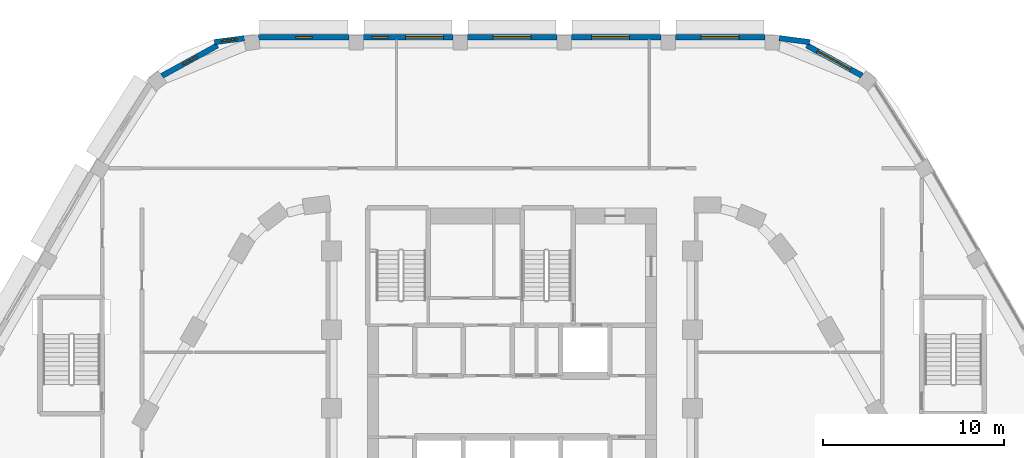
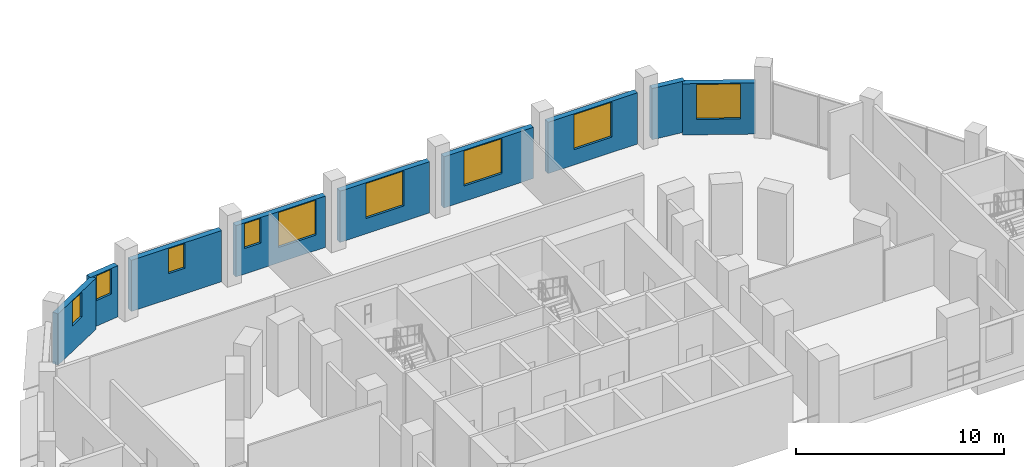
# One storey, part 24 of 33: 9 walls, 9 windows, 9 openings.
"""IFC4 building model written with IfcOpenShell, lengths in metres."""

import ifcopenshell
import ifcopenshell.guid

model = None  # the IFC model being written
_history = None  # IfcOwnerHistory: only IFC2X3 demands one
_inside = {}  # id of a spatial element -> (the spatial element, [elements in it])
_under = {}  # id of a project, library or spatial element -> (it, [spatial elements below it])
_declared = {}  # id of a project -> (the project, [libraries it declares])
_typed = {}  # id of a type object -> (the type object, [elements of that type])
_made_of = {}  # id of a material, layer set ... -> (it, [elements and type objects made of it])


def new_model(schema):
    """Start an empty IFC model of exactly this schema.

    Asked for "IFC4X3", IfcOpenShell would pick the latest addendum, in which some entities
    have other attributes; the version numbers below select the first issue.
    IFC2X3 requires an IfcOwnerHistory on every rooted entity: one is made here for all.
    """
    global model, _history
    if schema == "IFC4X3":
        model = ifcopenshell.file(schema_version=(4, 3, 0, 0))
    else:
        model = ifcopenshell.file(schema=schema)
    _inside.clear()
    _under.clear()
    _declared.clear()
    _typed.clear()
    _made_of.clear()
    _history = None
    if model.schema == "IFC2X3":
        org = make("IfcOrganization", Name="unknown")
        user = make(
            "IfcPersonAndOrganization",
            ThePerson=make("IfcPerson", FamilyName="unknown"),
            TheOrganization=org,
        )
        app = make(
            "IfcApplication",
            ApplicationDeveloper=org,
            Version="unknown",
            ApplicationFullName="unknown",
            ApplicationIdentifier="unknown",
        )
        _history = make(
            "IfcOwnerHistory",
            OwningUser=user,
            OwningApplication=app,
            ChangeAction="ADDED",
            CreationDate=0,
        )
    return model


def make(cls, **values):
    """One entity of the class cls with the attributes given. An attribute that is None is left unset."""
    return model.create_entity(
        cls, **{name: value for name, value in values.items() if value is not None}
    )


def rooted(cls, **values):
    """An entity with a GlobalId (a new one), such as an element, a storey or a relation."""
    return make(cls, GlobalId=ifcopenshell.guid.new(), OwnerHistory=_history, **values)


def si_unit(unit_type, name, prefix=None):
    """IfcSIUnit, for example si_unit("LENGTHUNIT", "METRE", prefix="MILLI")."""
    return make("IfcSIUnit", UnitType=unit_type, Prefix=prefix, Name=name)


def assignment(units):
    """IfcUnitAssignment: the units of a project."""
    return None if units is None else make("IfcUnitAssignment", Units=units)


def point(xyz):
    """IfcCartesianPoint."""
    return None if xyz is None else make("IfcCartesianPoint", Coordinates=xyz)


def direction(xyz):
    """IfcDirection."""
    return None if xyz is None else make("IfcDirection", DirectionRatios=xyz)


def frame(location, z_axis=None, x_axis=None):
    """IfcAxis2Placement3D, a coordinate frame: its origin and axes. An axis left out is left unset."""
    return make(
        "IfcAxis2Placement3D",
        Location=point(location),
        Axis=direction(z_axis),
        RefDirection=direction(x_axis),
    )


def frame_2d(location, x_axis=None):
    """IfcAxis2Placement2D, a coordinate frame in the plane: its origin and x axis."""
    return make(
        "IfcAxis2Placement2D", Location=point(location), RefDirection=direction(x_axis)
    )


def origin():
    """The frame at (0, 0, 0) with its axes left unset."""
    return frame((0.0, 0.0, 0.0))


def place(relative_to, where):
    """IfcLocalPlacement: puts the frame where relative to a parent placement (None: the world)."""
    return make(
        "IfcLocalPlacement", PlacementRelTo=relative_to, RelativePlacement=where
    )


def context(
    kind, dimensions, precision=None, world=None, true_north=None, identifier=None
):
    """IfcGeometricRepresentationContext, for example the 3D "Model" context."""
    return make(
        "IfcGeometricRepresentationContext",
        ContextIdentifier=identifier,
        ContextType=kind,
        CoordinateSpaceDimension=dimensions,
        Precision=precision,
        WorldCoordinateSystem=world,
        TrueNorth=true_north,
    )


def subcontext(parent, identifier, kind, view, scale=None):
    """IfcGeometricRepresentationSubContext, for example "Body" below "Model"."""
    return make(
        "IfcGeometricRepresentationSubContext",
        ContextIdentifier=identifier,
        ContextType=kind,
        ParentContext=parent,
        TargetScale=scale,
        TargetView=view,
    )


def project(units=None, contexts=None):
    """IfcProject with its units and contexts."""
    return rooted(
        "IfcProject",
        Name="project",
        RepresentationContexts=contexts,
        UnitsInContext=assignment(units),
    )


def spatial(cls, under=None, at=None, **own):
    """A site, building, storey or space (cls), placed at a placement, below another one or the project."""
    s = rooted(cls, ObjectPlacement=at, **own)
    if under is not None:
        _under.setdefault(under.id(), (under, []))[1].append(s)
    return s


def profile(cls, at=None, kind="AREA", **sizes):
    """A parametric profile (cls). Its sizes go by their IFC names, for example OverallWidth=200.0."""
    return make(cls, ProfileType=kind, Position=at, **sizes)


def rectangle(**sizes):
    """IfcRectangleProfileDef."""
    return profile("IfcRectangleProfileDef", **sizes)


def extrude(swept, where, along, depth):
    """IfcExtrudedAreaSolid: the profile swept, set in the frame where, extruded along a direction by depth."""
    return make(
        "IfcExtrudedAreaSolid",
        SweptArea=swept,
        Position=where,
        ExtrudedDirection=direction(along),
        Depth=depth,
    )


def shape(context_of_items, identifier, shape_type, items):
    """IfcShapeRepresentation: the items that make up one representation, for example the "Body"."""
    return make(
        "IfcShapeRepresentation",
        ContextOfItems=context_of_items,
        RepresentationIdentifier=identifier,
        RepresentationType=shape_type,
        Items=items,
    )


def material(Name=None, Category=None):
    """IfcMaterial."""
    return make("IfcMaterial", Name=Name, Category=Category)


def layer(
    of_material, thickness, ventilated=None, Name=None, Category=None, Priority=None
):
    """IfcMaterialLayer: one layer of a wall or slab, of a material (None: an air gap)."""
    return make(
        "IfcMaterialLayer",
        Material=of_material,
        LayerThickness=thickness,
        IsVentilated=ventilated,
        Name=Name,
        Category=Category,
        Priority=Priority,
    )


def layer_set(layers, Name=None):
    """IfcMaterialLayerSet."""
    return make("IfcMaterialLayerSet", MaterialLayers=layers, LayerSetName=Name)


def made_of(thing, what):
    """Note that an element or type object is made of a material, layer set ...; save() writes the relation."""
    if what is not None:
        _made_of.setdefault(what.id(), (what, []))[1].append(thing)
    return thing


def type_object(cls, material=None, **own):
    """A type object (cls), such as IfcWallType, which elements share."""
    return made_of(rooted(cls, **own), material)


def element(
    cls,
    number,
    at=None,
    inside=None,
    cuts=None,
    type_object=None,
    material=None,
    context=None,
    identifier="Body",
    shape_type=None,
    held_by="IfcProductDefinitionShape",
    body=None,
    shapes=None,
    **own,
):
    """One element of the class cls, such as IfcWall. Its Tag is "e" and its number.

    at: its placement. inside: the storey or other place that contains it. cuts: it is an
    opening in that element (IfcRelVoidsElement). A single representation is given by context,
    identifier, shape_type and body (its items); several are given by shapes. held_by: the class
    of the entity that holds the representations. save() writes the other relations.
    """
    e = rooted(cls, Tag="e%d" % number, ObjectPlacement=at, **own)
    if body is not None:
        shapes = [shape(context, identifier, shape_type, body)]
    if shapes is not None:
        e.Representation = make(held_by, Representations=shapes)
    if inside is not None:
        _inside.setdefault(inside.id(), (inside, []))[1].append(e)
    if cuts is not None:
        rooted(
            "IfcRelVoidsElement", RelatingBuildingElement=cuts, RelatedOpeningElement=e
        )
    if type_object is not None:
        _typed.setdefault(type_object.id(), (type_object, []))[1].append(e)
    return made_of(e, material)


def fill(opening, filler):
    """IfcRelFillsElement: the door or window that sits in an opening."""
    return rooted(
        "IfcRelFillsElement",
        RelatingOpeningElement=opening,
        RelatedBuildingElement=filler,
    )


def aggregate(whole, parts):
    """IfcRelAggregates: a whole, such as a stair, and the parts it consists of."""
    return rooted("IfcRelAggregates", RelatingObject=whole, RelatedObjects=parts)


def save(model, path):
    """Write the relations noted so far, then the file.

    IfcRelAggregates (storeys below a building ...), IfcRelContainedInSpatialStructure (elements
    in a storey), IfcRelDefinesByType, IfcRelAssociatesMaterial and IfcRelDeclares: one each for
    every whole, place, type object, material and project.
    """
    for whole, parts in _under.values():
        aggregate(whole, parts)
    for where, things in _inside.values():
        rooted(
            "IfcRelContainedInSpatialStructure",
            RelatedElements=things,
            RelatingStructure=where,
        )
    for kind, things in _typed.values():
        rooted("IfcRelDefinesByType", RelatedObjects=things, RelatingType=kind)
    for what, things in _made_of.values():
        rooted("IfcRelAssociatesMaterial", RelatedObjects=things, RelatingMaterial=what)
    for by, libraries in _declared.values():
        rooted("IfcRelDeclares", RelatingContext=by, RelatedDefinitions=libraries)
    model.write(path)


model = new_model("IFC4")

# Units and contexts
model_context = context("Model", 3, precision=1e-05, world=origin(), true_north=direction((0.0, 1.0)))
body_context = subcontext(model_context, "Body", "Model", "MODEL_VIEW")
ifc_project = project(units=[si_unit("LENGTHUNIT", "METRE"), si_unit("AREAUNIT", "SQUARE_METRE"), si_unit("VOLUMEUNIT", "CUBIC_METRE"), si_unit("PLANEANGLEUNIT", "RADIAN"), si_unit("MASSUNIT", "GRAM", prefix="KILO")], contexts=[model_context])

# Site, building, storey
site_placement = place(None, origin())
site = spatial("IfcSite", under=ifc_project, at=site_placement, CompositionType="ELEMENT")
building_placement = place(site_placement, origin())
building = spatial("IfcBuilding", under=site, at=building_placement, Name="Nakaniwa Court", CompositionType="ELEMENT")
storey_placement = place(building_placement, frame((0.0, 0.0, 19.800048828125)))
storey = spatial("IfcBuildingStorey", under=building, at=storey_placement, Name="L04", CompositionType="ELEMENT", Elevation=19.800048828125)

# Wall, opening, window
ifc_material_1 = material(Name="Charcoal ceramic cladding")
ifc_layer_1 = layer(ifc_material_1, 0.02, Name="Ceramic cladding")
ifc_material_2 = material(Name="Ventilated air cavity")
ifc_layer_2 = layer(ifc_material_2, 0.04, ventilated=True, Name="Ventilated cavity")
ifc_material_3 = material(Name="Mineral wool insulation")
ifc_layer_3 = layer(ifc_material_3, 0.1, Name="Insulation")
ifc_material_4 = material(Name="Cement bonded sheathing board")
ifc_layer_4 = layer(ifc_material_4, 0.012, Name="Sheathing")
ifc_material_5 = material(Name="Cold-formed galvanised stud frame with mineral wool infill")
ifc_layer_5 = layer(ifc_material_5, 0.1, Name="Stud frame")
ifc_material_6 = material(Name="Fire-rated gypsum plasterboard lining")
ifc_layer_6 = layer(ifc_material_6, 0.028, Name="Lining")
ifc_layer_set = layer_set([ifc_layer_1, ifc_layer_2, ifc_layer_3, ifc_layer_4, ifc_layer_5, ifc_layer_6], Name="Charcoal ceramic faced external wall system")
wall_type = type_object("IfcWallType", Name="Black ceramic faced external wall 300", PredefinedType="SOLIDWALL", material=ifc_layer_set)
wall_1_placement = place(storey_placement, frame((99.388671875, 110.71533203125, 0.0), z_axis=(0.0, 0.0, 1.0), x_axis=(-0.876785818174, 0.480881096581, 0.0)))
wall_1 = element("IfcWall", 1, at=wall_1_placement, inside=storey, type_object=wall_type, Name="L04 external wall 44", PredefinedType="SOLIDWALL", context=body_context, shape_type="SweptSolid", body=[
    extrude(rectangle(XDim=3.49658203125, YDim=0.300048828125, at=frame_2d((1.748291015625, 0.0))), origin(), (0.0, 0.0, 1.0), 3.0),
])
opening_1_placement = place(wall_1_placement, frame((0.723388671875, 0.0, 0.89990234375)))
opening_1 = element("IfcOpeningElement", 2, at=opening_1_placement, cuts=wall_1, Name="Opening W2.34", PredefinedType="OPENING", context=body_context, shape_type="SweptSolid", body=[
    extrude(rectangle(XDim=2.10009765625, YDim=2.050048828125, at=frame_2d((1.050048828125, 1.02490234375))), frame((0.0, 0.159912109375, 0.0), z_axis=(0.0, -1.0, 0.0), x_axis=(1.0, 0.0, 0.0)), (0.0, 0.0, 1.0), 0.320068359375),
])
ifc_material_7 = material(Name="Black anodised aluminium frame with dark low-E laminated double glazing", Category="aluminium")
window_type_1 = type_object("IfcWindowType", Name="Dark glass window 2100x2050 sill 900", PartitioningType="SINGLE_PANEL", PredefinedType="WINDOW", material=ifc_material_7)
window_1_placement = place(opening_1_placement, origin())
window_1 = element("IfcWindow", 3, at=window_1_placement, inside=storey, type_object=window_type_1, Name="L04 habitable room window 44-0", OverallHeight=2.050048828125, OverallWidth=2.10009765625, PartitioningType="SINGLE_PANEL", PredefinedType="WINDOW", context=body_context, shape_type="SweptSolid", body=[
    extrude(rectangle(XDim=2.10009765625, YDim=2.050048828125, at=frame_2d((1.050048828125, 1.02490234375))), frame((0.0, 0.030029296875, 0.0), z_axis=(0.0, -1.0, 0.0), x_axis=(1.0, 0.0, 0.0)), (0.0, 0.0, 1.0), 0.06005859375),
])
fill(opening_1, window_1)

# Wall
wall_2_placement = place(storey_placement, frame((96.484619140625, 112.57861328125, 0.0), z_axis=(0.0, 0.0, 1.0), x_axis=(-0.991431291018, 0.130629227937, 0.0)))
element("IfcWall", 4, at=wall_2_placement, inside=storey, type_object=wall_type, Name="L04 external wall 45", PredefinedType="SOLIDWALL", context=body_context, shape_type="SweptSolid", body=[
    extrude(rectangle(XDim=1.698974609375, YDim=0.300048828125, at=frame_2d((0.849609375, 0.0))), origin(), (0.0, 0.0, 1.0), 3.0),
])

# Wall, opening, window
wall_3_placement = place(storey_placement, frame((94.00830078125, 112.85009765625, 0.0), z_axis=(0.0, 0.0, 1.0), x_axis=(-1.0, 0.0, 0.0)))
wall_3 = element("IfcWall", 5, at=wall_3_placement, inside=storey, type_object=wall_type, Name="L04 external wall 46", PredefinedType="SOLIDWALL", context=body_context, shape_type="SweptSolid", body=[
    extrude(rectangle(XDim=4.9697265625, YDim=0.300048828125, at=frame_2d((2.48486328125, 0.0))), origin(), (0.0, 0.0, 1.0), 3.0),
])
opening_2_placement = place(wall_3_placement, frame((1.434814453125, 0.0, 0.89990234375)))
opening_2 = element("IfcOpeningElement", 6, at=opening_2_placement, cuts=wall_3, Name="Opening W2.35", PredefinedType="OPENING", context=body_context, shape_type="SweptSolid", body=[
    extrude(rectangle(XDim=2.10009765625, YDim=2.050048828125, at=frame_2d((1.050048828125, 1.02490234375))), frame((0.0, 0.159912109375, 0.0), z_axis=(0.0, -1.0, 0.0), x_axis=(1.0, 0.0, 0.0)), (0.0, 0.0, 1.0), 0.320068359375),
])
window_2_placement = place(opening_2_placement, origin())
window_2 = element("IfcWindow", 7, at=window_2_placement, inside=storey, type_object=window_type_1, Name="L04 habitable room window 46-0", OverallHeight=2.050048828125, OverallWidth=2.10009765625, PartitioningType="SINGLE_PANEL", PredefinedType="WINDOW", context=body_context, shape_type="SweptSolid", body=[
    extrude(rectangle(XDim=2.10009765625, YDim=2.050048828125, at=frame_2d((1.050048828125, 1.02490234375))), frame((0.0, 0.030029296875, 0.0), z_axis=(0.0, -1.0, 0.0), x_axis=(1.0, 0.0, 0.0)), (0.0, 0.0, 1.0), 0.06005859375),
])
fill(opening_2, window_2)

wall_4_placement = place(storey_placement, frame((88.24658203125, 112.85009765625, 0.0), z_axis=(0.0, 0.0, 1.0), x_axis=(-1.0, 0.0, 0.0)))
wall_4 = element("IfcWall", 8, at=wall_4_placement, inside=storey, type_object=wall_type, Name="L04 external wall 47", PredefinedType="SOLIDWALL", context=body_context, shape_type="SweptSolid", body=[
    extrude(rectangle(XDim=4.9697265625, YDim=0.300048828125, at=frame_2d((2.48486328125, 0.0))), origin(), (0.0, 0.0, 1.0), 3.0),
])
opening_3_placement = place(wall_4_placement, frame((1.74609375, 0.0, 0.89990234375)))
opening_3 = element("IfcOpeningElement", 9, at=opening_3_placement, cuts=wall_4, Name="Opening W2.36", PredefinedType="OPENING", context=body_context, shape_type="SweptSolid", body=[
    extrude(rectangle(XDim=2.10009765625, YDim=2.050048828125, at=frame_2d((1.050048828125, 1.02490234375))), frame((0.0, 0.159912109375, 0.0), z_axis=(0.0, -1.0, 0.0), x_axis=(1.0, 0.0, 0.0)), (0.0, 0.0, 1.0), 0.320068359375),
])
window_3_placement = place(opening_3_placement, origin())
window_3 = element("IfcWindow", 10, at=window_3_placement, inside=storey, type_object=window_type_1, Name="L04 habitable room window 47-1", OverallHeight=2.050048828125, OverallWidth=2.10009765625, PartitioningType="SINGLE_PANEL", PredefinedType="WINDOW", context=body_context, shape_type="SweptSolid", body=[
    extrude(rectangle(XDim=2.10009765625, YDim=2.050048828125, at=frame_2d((1.050048828125, 1.02490234375))), frame((0.0, 0.030029296875, 0.0), z_axis=(0.0, -1.0, 0.0), x_axis=(1.0, 0.0, 0.0)), (0.0, 0.0, 1.0), 0.06005859375),
])
fill(opening_3, window_3)

wall_5_placement = place(storey_placement, frame((82.48486328125, 112.85009765625, 0.0), z_axis=(0.0, 0.0, 1.0), x_axis=(-1.0, 0.0, 0.0)))
wall_5 = element("IfcWall", 11, at=wall_5_placement, inside=storey, type_object=wall_type, Name="L04 external wall 48", PredefinedType="SOLIDWALL", context=body_context, shape_type="SweptSolid", body=[
    extrude(rectangle(XDim=4.9697265625, YDim=0.300048828125, at=frame_2d((2.48486328125, 0.0))), origin(), (0.0, 0.0, 1.0), 3.0),
])
opening_4_placement = place(wall_5_placement, frame((1.434814453125, 0.0, 0.89990234375)))
opening_4 = element("IfcOpeningElement", 12, at=opening_4_placement, cuts=wall_5, Name="Opening W2.37", PredefinedType="OPENING", context=body_context, shape_type="SweptSolid", body=[
    extrude(rectangle(XDim=2.10009765625, YDim=2.050048828125, at=frame_2d((1.050048828125, 1.02490234375))), frame((0.0, 0.159912109375, 0.0), z_axis=(0.0, -1.0, 0.0), x_axis=(1.0, 0.0, 0.0)), (0.0, 0.0, 1.0), 0.320068359375),
])
window_4_placement = place(opening_4_placement, origin())
window_4 = element("IfcWindow", 13, at=window_4_placement, inside=storey, type_object=window_type_1, Name="L04 habitable room window 48-0", OverallHeight=2.050048828125, OverallWidth=2.10009765625, PartitioningType="SINGLE_PANEL", PredefinedType="WINDOW", context=body_context, shape_type="SweptSolid", body=[
    extrude(rectangle(XDim=2.10009765625, YDim=2.050048828125, at=frame_2d((1.050048828125, 1.02490234375))), frame((0.0, 0.030029296875, 0.0), z_axis=(0.0, -1.0, 0.0), x_axis=(1.0, 0.0, 0.0)), (0.0, 0.0, 1.0), 0.06005859375),
])
fill(opening_4, window_4)

# Wall, openings, windows
wall_6_placement = place(storey_placement, frame((76.72314453125, 112.85009765625, 0.0), z_axis=(0.0, 0.0, 1.0), x_axis=(-1.0, 0.0, 0.0)))
wall_6 = element("IfcWall", 14, at=wall_6_placement, inside=storey, type_object=wall_type, Name="L04 external wall 49", PredefinedType="SOLIDWALL", context=body_context, shape_type="SweptSolid", body=[
    extrude(rectangle(XDim=4.9697265625, YDim=0.300048828125, at=frame_2d((2.48486328125, 0.0))), origin(), (0.0, 0.0, 1.0), 3.0),
])
opening_5_placement = place(wall_6_placement, frame((0.5234375, 0.0, 0.89990234375)))
opening_5 = element("IfcOpeningElement", 15, at=opening_5_placement, cuts=wall_6, Name="Opening W2.38", PredefinedType="OPENING", context=body_context, shape_type="SweptSolid", body=[
    extrude(rectangle(XDim=2.10009765625, YDim=2.050048828125, at=frame_2d((1.050048828125, 1.02490234375))), frame((0.0, 0.159912109375, 0.0), z_axis=(0.0, -1.0, 0.0), x_axis=(1.0, 0.0, 0.0)), (0.0, 0.0, 1.0), 0.320068359375),
])
opening_6_placement = place(wall_6_placement, frame((3.58447265625, 0.0, 1.5)))
opening_6 = element("IfcOpeningElement", 16, at=opening_6_placement, cuts=wall_6, Name="Opening W3.39", PredefinedType="OPENING", context=body_context, shape_type="SweptSolid", body=[
    extrude(rectangle(XDim=0.89990234375, YDim=1.449951171875, at=frame_2d((0.449951171875, 0.72509765625))), frame((0.0, 0.159912109375, 0.0), z_axis=(0.0, -1.0, 0.0), x_axis=(1.0, 0.0, 0.0)), (0.0, 0.0, 1.0), 0.320068359375),
])
window_5_placement = place(opening_5_placement, origin())
window_5 = element("IfcWindow", 17, at=window_5_placement, inside=storey, type_object=window_type_1, Name="L04 habitable room window 49-0", OverallHeight=2.050048828125, OverallWidth=2.10009765625, PartitioningType="SINGLE_PANEL", PredefinedType="WINDOW", context=body_context, shape_type="SweptSolid", body=[
    extrude(rectangle(XDim=2.10009765625, YDim=2.050048828125, at=frame_2d((1.050048828125, 1.02490234375))), frame((0.0, 0.030029296875, 0.0), z_axis=(0.0, -1.0, 0.0), x_axis=(1.0, 0.0, 0.0)), (0.0, 0.0, 1.0), 0.06005859375),
])
fill(opening_5, window_5)
window_type_2 = type_object("IfcWindowType", Name="Dark glass window 900x1450 sill 1500", PartitioningType="SINGLE_PANEL", PredefinedType="WINDOW", material=ifc_material_7)
window_6_placement = place(opening_6_placement, origin())
window_6 = element("IfcWindow", 18, at=window_6_placement, inside=storey, type_object=window_type_2, Name="L04 bathroom window 49-1", OverallHeight=1.449951171875, OverallWidth=0.89990234375, PartitioningType="SINGLE_PANEL", PredefinedType="WINDOW", context=body_context, shape_type="SweptSolid", body=[
    extrude(rectangle(XDim=0.89990234375, YDim=1.449951171875, at=frame_2d((0.449951171875, 0.72509765625))), frame((0.0, 0.030029296875, 0.0), z_axis=(0.0, -1.0, 0.0), x_axis=(1.0, 0.0, 0.0)), (0.0, 0.0, 1.0), 0.06005859375),
])
fill(opening_6, window_6)

# Wall, opening, window
wall_7_placement = place(storey_placement, frame((70.96142578125, 112.85009765625, 0.0), z_axis=(0.0, 0.0, 1.0), x_axis=(-1.0, 0.0, 0.0)))
wall_7 = element("IfcWall", 19, at=wall_7_placement, inside=storey, type_object=wall_type, Name="L04 external wall 50", PredefinedType="SOLIDWALL", context=body_context, shape_type="SweptSolid", body=[
    extrude(rectangle(XDim=5.005615234375, YDim=0.300048828125, at=frame_2d((2.5029296875, 0.0))), origin(), (0.0, 0.0, 1.0), 3.0),
])
opening_7_placement = place(wall_7_placement, frame((2.04150390625, 0.0, 1.5)))
opening_7 = element("IfcOpeningElement", 20, at=opening_7_placement, cuts=wall_7, Name="Opening W3.40", PredefinedType="OPENING", context=body_context, shape_type="SweptSolid", body=[
    extrude(rectangle(XDim=0.89990234375, YDim=1.449951171875, at=frame_2d((0.449951171875, 0.72509765625))), frame((0.0, 0.159912109375, 0.0), z_axis=(0.0, -1.0, 0.0), x_axis=(1.0, 0.0, 0.0)), (0.0, 0.0, 1.0), 0.320068359375),
])
window_7_placement = place(opening_7_placement, origin())
window_7 = element("IfcWindow", 21, at=window_7_placement, inside=storey, type_object=window_type_2, Name="L04 bathroom window 50-0", OverallHeight=1.449951171875, OverallWidth=0.89990234375, PartitioningType="SINGLE_PANEL", PredefinedType="WINDOW", context=body_context, shape_type="SweptSolid", body=[
    extrude(rectangle(XDim=0.89990234375, YDim=1.449951171875, at=frame_2d((0.449951171875, 0.72509765625))), frame((0.0, 0.030029296875, 0.0), z_axis=(0.0, -1.0, 0.0), x_axis=(1.0, 0.0, 0.0)), (0.0, 0.0, 1.0), 0.06005859375),
])
fill(opening_7, window_7)

wall_8_placement = place(storey_placement, frame((65.1640625, 112.795654296875, 0.0), z_axis=(0.0, 0.0, 1.0), x_axis=(-0.991445798324, -0.130519075183, 0.0)))
wall_8 = element("IfcWall", 22, at=wall_8_placement, inside=storey, type_object=wall_type, Name="L04 external wall 51", PredefinedType="SOLIDWALL", context=body_context, shape_type="SweptSolid", body=[
    extrude(rectangle(XDim=1.662841796875, YDim=0.300048828125, at=frame_2d((0.83154296875, 0.0))), origin(), (0.0, 0.0, 1.0), 3.0),
])
opening_8_placement = place(wall_8_placement, frame((0.3935546875, 0.0, 1.5)))
opening_8 = element("IfcOpeningElement", 23, at=opening_8_placement, cuts=wall_8, Name="Opening W3.41", PredefinedType="OPENING", context=body_context, shape_type="SweptSolid", body=[
    extrude(rectangle(XDim=0.89990234375, YDim=1.449951171875, at=frame_2d((0.449951171875, 0.72509765625))), frame((0.0, 0.159912109375, 0.0), z_axis=(0.0, -1.0, 0.0), x_axis=(1.0, 0.0, 0.0)), (0.0, 0.0, 1.0), 0.320068359375),
])
window_8_placement = place(opening_8_placement, origin())
window_8 = element("IfcWindow", 24, at=window_8_placement, inside=storey, type_object=window_type_2, Name="L04 bathroom window 51-0", OverallHeight=1.449951171875, OverallWidth=0.89990234375, PartitioningType="SINGLE_PANEL", PredefinedType="WINDOW", context=body_context, shape_type="SweptSolid", body=[
    extrude(rectangle(XDim=0.89990234375, YDim=1.449951171875, at=frame_2d((0.449951171875, 0.72509765625))), frame((0.0, 0.030029296875, 0.0), z_axis=(0.0, -1.0, 0.0), x_axis=(1.0, 0.0, 0.0)), (0.0, 0.0, 1.0), 0.06005859375),
])
fill(opening_8, window_8)

wall_9_placement = place(storey_placement, frame((63.677978515625, 112.395751953125, 0.0), z_axis=(0.0, 0.0, 1.0), x_axis=(-0.876502039768, -0.481398145284, 0.0)))
wall_9 = element("IfcWall", 25, at=wall_9_placement, inside=storey, type_object=wall_type, Name="L04 external wall 52", PredefinedType="SOLIDWALL", context=body_context, shape_type="SweptSolid", body=[
    extrude(rectangle(XDim=3.510986328125, YDim=0.300048828125, at=frame_2d((1.75537109375, 0.0))), origin(), (0.0, 0.0, 1.0), 3.0),
])
opening_9_placement = place(wall_9_placement, frame((1.2802734375, 0.0, 1.5)))
opening_9 = element("IfcOpeningElement", 26, at=opening_9_placement, cuts=wall_9, Name="Opening W3.42", PredefinedType="OPENING", context=body_context, shape_type="SweptSolid", body=[
    extrude(rectangle(XDim=0.89990234375, YDim=1.449951171875, at=frame_2d((0.449951171875, 0.72509765625))), frame((0.0, 0.159912109375, 0.0), z_axis=(0.0, -1.0, 0.0), x_axis=(1.0, 0.0, 0.0)), (0.0, 0.0, 1.0), 0.320068359375),
])
window_9_placement = place(opening_9_placement, origin())
window_9 = element("IfcWindow", 27, at=window_9_placement, inside=storey, type_object=window_type_2, Name="L04 bathroom window 52-0", OverallHeight=1.449951171875, OverallWidth=0.89990234375, PartitioningType="SINGLE_PANEL", PredefinedType="WINDOW", context=body_context, shape_type="SweptSolid", body=[
    extrude(rectangle(XDim=0.89990234375, YDim=1.449951171875, at=frame_2d((0.449951171875, 0.72509765625))), frame((0.0, 0.030029296875, 0.0), z_axis=(0.0, -1.0, 0.0), x_axis=(1.0, 0.0, 0.0)), (0.0, 0.0, 1.0), 0.06005859375),
])
fill(opening_9, window_9)

save(model, "model.ifc")
